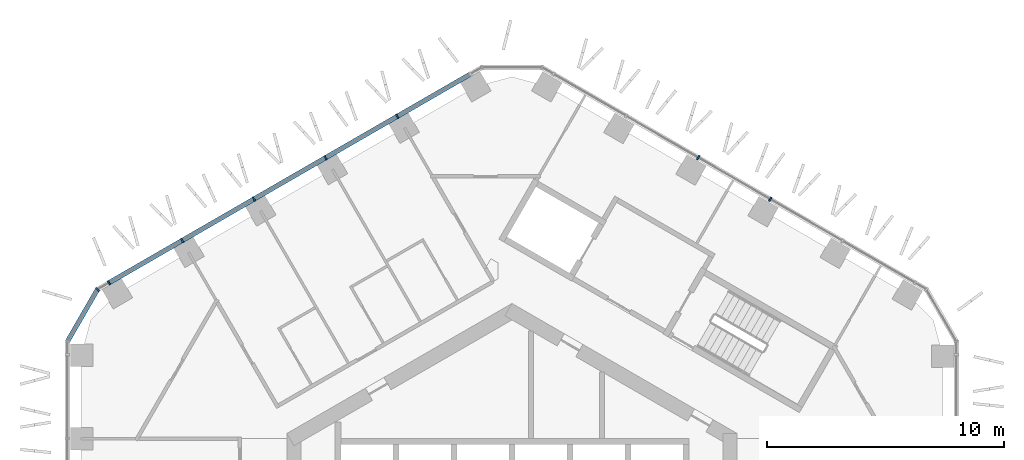
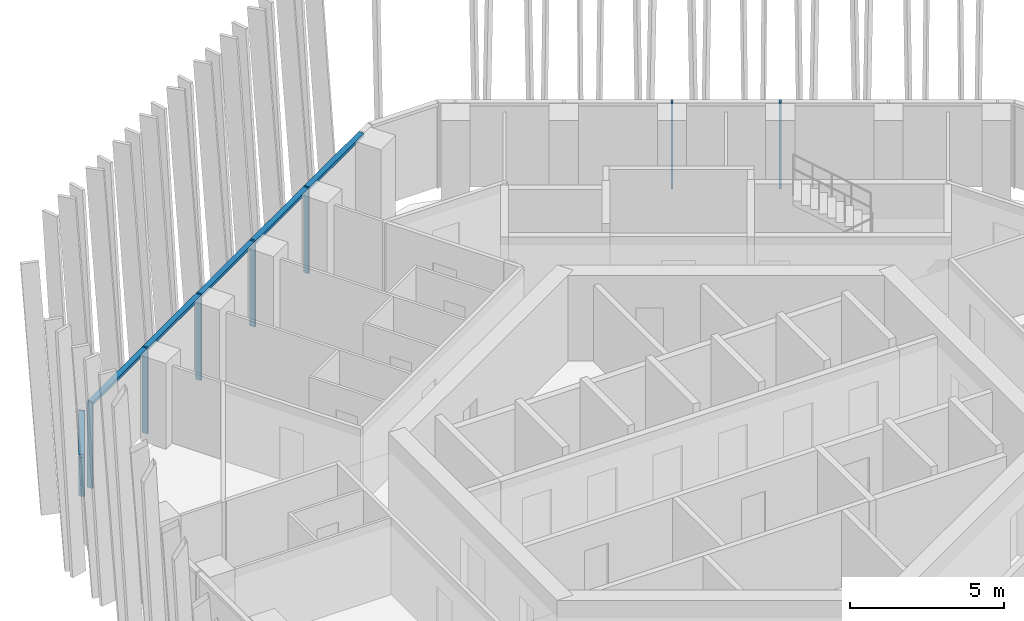
# One storey, part 6 of 21: 10 members, 3 elements without a shape of their own.
"""IFC4 building model written with IfcOpenShell, lengths in metres."""

from ifc_helpers import new_model, si_unit, direction, frame, origin, origin_2d, place, context, subcontext, project, spatial, rectangle, extrude, material, layer, layer_set, material_profile, profile_set, type_object, element, aggregate, save


model = new_model("IFC4")

# Units and contexts
model_context = context("Model", 3, precision=1e-05, world=origin(), true_north=direction((0.0, 1.0)))
body_context = subcontext(model_context, "Body", "Model", "MODEL_VIEW")
ifc_project = project(units=[si_unit("LENGTHUNIT", "METRE"), si_unit("AREAUNIT", "SQUARE_METRE"), si_unit("VOLUMEUNIT", "CUBIC_METRE"), si_unit("PLANEANGLEUNIT", "RADIAN"), si_unit("MASSUNIT", "GRAM", prefix="KILO")], contexts=[model_context])

# Site, building, storey
site_placement = place(None, origin())
site = spatial("IfcSite", under=ifc_project, at=site_placement, CompositionType="ELEMENT")
building_placement = place(site_placement, origin())
building = spatial("IfcBuilding", under=site, at=building_placement, Name="Ayvan Gate Tower", CompositionType="ELEMENT")
storey_placement = place(building_placement, frame((0.0, 0.0, 152.699951171875)))
storey = spatial("IfcBuildingStorey", under=building, at=storey_placement, Name="L40", CompositionType="ELEMENT", Elevation=152.699951171875)

# Curtain wall, members
ifc_material = material(Name="Bronze anodised aluminium", Category="aluminium")
ifc_layer_1 = layer(ifc_material, 0.199951171875)
ifc_layer_set_1 = layer_set([ifc_layer_1], Name="Bronze anodised aluminium")
curtain_wall_type_1 = type_object("IfcCurtainWallType", Name="Stick curtain wall CW-2", PredefinedType="NOTDEFINED", material=ifc_layer_set_1)
curtain_wall_1_placement = place(storey_placement, origin())
curtain_wall_1 = element("IfcCurtainWall", 1, at=curtain_wall_1_placement, inside=storey, type_object=curtain_wall_type_1, Name="Stick curtain wall CW-2 L40", PredefinedType="NOTDEFINED")
ifc_material_profile_1 = material_profile(ifc_material, rectangle(XDim=0.199951171875, YDim=0.070068359375, at=origin_2d()), Name="Stick curtain wall CW-2 mullion 200 x 70")
ifc_profile_set_1 = profile_set([ifc_material_profile_1], Name="Bronze anodised aluminium")
member_type_1 = type_object("IfcMemberType", Name="Stick curtain wall CW-2 mullion 200 x 70", PredefinedType="MULLION", material=ifc_profile_set_1)
member_1_placement = place(storey_placement, frame((-4.84228515625, 18.868408203125, 0.0), z_axis=(0.0, 0.0, 1.0), x_axis=(-0.5, 0.866025403784, 0.0)))
member_1 = element("IfcMember", 2, at=member_1_placement, type_object=member_type_1, Name="CW-2 mullion 2", PredefinedType="MULLION", context=body_context, shape_type="SweptSolid", body=[
    extrude(rectangle(XDim=0.199951171875, YDim=0.070068359375, at=origin_2d()), origin(), (0.0, 0.0, 1.0), 3.400146484375),
])
member_2_placement = place(storey_placement, frame((-7.8681640625, 17.121337890625, 0.0), z_axis=(0.0, 0.0, 1.0), x_axis=(-0.5, 0.866025403784, 0.0)))
member_2 = element("IfcMember", 3, at=member_2_placement, type_object=member_type_1, Name="CW-2 mullion 3", PredefinedType="MULLION", context=body_context, shape_type="SweptSolid", body=[
    extrude(rectangle(XDim=0.199951171875, YDim=0.070068359375, at=origin_2d()), origin(), (0.0, 0.0, 1.0), 3.400146484375),
])
member_3_placement = place(storey_placement, frame((-10.89306640625, 15.374755859375, 0.0), z_axis=(0.0, 0.0, 1.0), x_axis=(-0.5, 0.866025403784, 0.0)))
member_3 = element("IfcMember", 4, at=member_3_placement, type_object=member_type_1, Name="CW-2 mullion 4", PredefinedType="MULLION", context=body_context, shape_type="SweptSolid", body=[
    extrude(rectangle(XDim=0.199951171875, YDim=0.070068359375, at=origin_2d()), origin(), (0.0, 0.0, 1.0), 3.400146484375),
])
member_4_placement = place(storey_placement, frame((-13.9189453125, 13.627685546875, 0.0), z_axis=(0.0, 0.0, 1.0), x_axis=(-0.5, 0.866025403784, 0.0)))
member_4 = element("IfcMember", 5, at=member_4_placement, type_object=member_type_1, Name="CW-2 mullion 5", PredefinedType="MULLION", context=body_context, shape_type="SweptSolid", body=[
    extrude(rectangle(XDim=0.199951171875, YDim=0.070068359375, at=origin_2d()), origin(), (0.0, 0.0, 1.0), 3.400146484375),
])
member_5_placement = place(storey_placement, frame((-17.00927734375, 11.84375, 0.0), z_axis=(0.0, 0.0, 1.0), x_axis=(-0.5, 0.866025403784, 0.0)))
member_5 = element("IfcMember", 6, at=member_5_placement, type_object=member_type_1, Name="CW-2 mullion 6", PredefinedType="MULLION", context=body_context, shape_type="SweptSolid", body=[
    extrude(rectangle(XDim=0.199951171875, YDim=0.070068359375, at=origin_2d()), origin(), (0.0, 0.0, 1.0), 3.400146484375),
])

curtain_wall_2_placement = place(storey_placement, origin())
curtain_wall_2 = element("IfcCurtainWall", 7, at=curtain_wall_2_placement, inside=storey, type_object=curtain_wall_type_1, Name="Stick curtain wall CW-2 L40", PredefinedType="NOTDEFINED")
member_6_placement = place(storey_placement, frame((10.902099609375, 15.36962890625, 0.0), z_axis=(0.0, 0.0, 1.0), x_axis=(0.5, 0.866025403784, 0.0)))
member_6 = element("IfcMember", 8, at=member_6_placement, type_object=member_type_1, Name="CW-2 mullion 3", PredefinedType="MULLION", context=body_context, shape_type="SweptSolid", body=[
    extrude(rectangle(XDim=0.199951171875, YDim=0.070068359375, at=origin_2d()), origin(), (0.0, 0.0, 1.0), 3.400146484375),
])
member_7_placement = place(storey_placement, frame((7.85888671875, 17.126708984375, 0.0), z_axis=(0.0, 0.0, 1.0), x_axis=(0.5, 0.866025403784, 0.0)))
member_7 = element("IfcMember", 9, at=member_7_placement, type_object=member_type_1, Name="CW-2 mullion 4", PredefinedType="MULLION", context=body_context, shape_type="SweptSolid", body=[
    extrude(rectangle(XDim=0.199951171875, YDim=0.070068359375, at=origin_2d()), origin(), (0.0, 0.0, 1.0), 3.400146484375),
])
aggregate(curtain_wall_2, [member_6, member_7])

# Member
ifc_material_profile_2 = material_profile(ifc_material, rectangle(XDim=0.199951171875, YDim=0.1201171875, at=origin_2d()), Name="Stick curtain wall CW-2 transom 200 x 120")
ifc_profile_set_2 = profile_set([ifc_material_profile_2], Name="Bronze anodised aluminium")
member_type_2 = type_object("IfcMemberType", Name="Stick curtain wall CW-2 transom 200 x 120", PredefinedType="USERDEFINED", material=ifc_profile_set_2)
member_8_placement = place(storey_placement, frame((-1.752197265625, 20.65234375, 3.340087890625), z_axis=(-0.866027506252, -0.499996358401, 0.0), x_axis=(0.499996358401, -0.866027506252, 0.0)))
member_8 = element("IfcMember", 10, at=member_8_placement, type_object=member_type_2, Name="CW-2 transom 1", ObjectType="TRANSOM", PredefinedType="USERDEFINED", context=body_context, shape_type="SweptSolid", body=[
    extrude(rectangle(XDim=0.199951171875, YDim=0.1201171875, at=origin_2d()), origin(), (0.0, 0.0, 1.0), 17.617431640625),
])

aggregate(curtain_wall_1, [member_1, member_2, member_3, member_4, member_5, member_8])

# Curtain wall, members
ifc_layer_2 = layer(ifc_material, 0.199951171875)
ifc_layer_set_2 = layer_set([ifc_layer_2], Name="Bronze anodised aluminium")
curtain_wall_type_2 = type_object("IfcCurtainWallType", Name="Stick curtain wall CW-6", PredefinedType="NOTDEFINED", material=ifc_layer_set_2)
curtain_wall_3_placement = place(storey_placement, origin())
curtain_wall_3 = element("IfcCurtainWall", 11, at=curtain_wall_3_placement, inside=storey, type_object=curtain_wall_type_2, Name="Stick curtain wall CW-6 L40", PredefinedType="NOTDEFINED")
ifc_material_profile_3 = material_profile(ifc_material, rectangle(XDim=0.199951171875, YDim=0.050048828125, at=origin_2d()), Name="Stick curtain wall CW-6 mullion 200 x 50")
ifc_profile_set_3 = profile_set([ifc_material_profile_3], Name="Bronze anodised aluminium")
member_type_3 = type_object("IfcMemberType", Name="Stick curtain wall CW-6 mullion 200 x 50", PredefinedType="MULLION", material=ifc_profile_set_3)
member_9_placement = place(storey_placement, frame((-17.494140625, 11.563720703125, 0.0), z_axis=(0.0, 0.0, 1.0), x_axis=(-0.707106781187, 0.707106781187, 0.0)))
member_9 = element("IfcMember", 12, at=member_9_placement, type_object=member_type_3, Name="CW-6 mullion 2", PredefinedType="MULLION", context=body_context, shape_type="SweptSolid", body=[
    extrude(rectangle(XDim=0.199951171875, YDim=0.050048828125, at=origin_2d()), origin(), (0.0, 0.0, 1.0), 3.400146484375),
])
ifc_material_profile_4 = material_profile(ifc_material, rectangle(XDim=0.199951171875, YDim=0.1201171875, at=origin_2d()), Name="Stick curtain wall CW-6 transom 200 x 120")
ifc_profile_set_4 = profile_set([ifc_material_profile_4], Name="Bronze anodised aluminium")
member_type_4 = type_object("IfcMemberType", Name="Stick curtain wall CW-6 transom 200 x 120", PredefinedType="USERDEFINED", material=ifc_profile_set_4)
member_10_placement = place(storey_placement, frame((-17.5068359375, 11.5419921875, 3.340087890625), z_axis=(-0.499986149909, -0.86603339999, 0.0), x_axis=(0.86603339999, -0.499986149909, 0.0)))
member_10 = element("IfcMember", 13, at=member_10_placement, type_object=member_type_4, Name="CW-6 transom 2", ObjectType="TRANSOM", PredefinedType="USERDEFINED", context=body_context, shape_type="SweptSolid", body=[
    extrude(rectangle(XDim=0.199951171875, YDim=0.1201171875, at=origin_2d()), origin(), (0.0, 0.0, 1.0), 2.484375),
])
aggregate(curtain_wall_3, [member_9, member_10])

save(model, "model.ifc")
